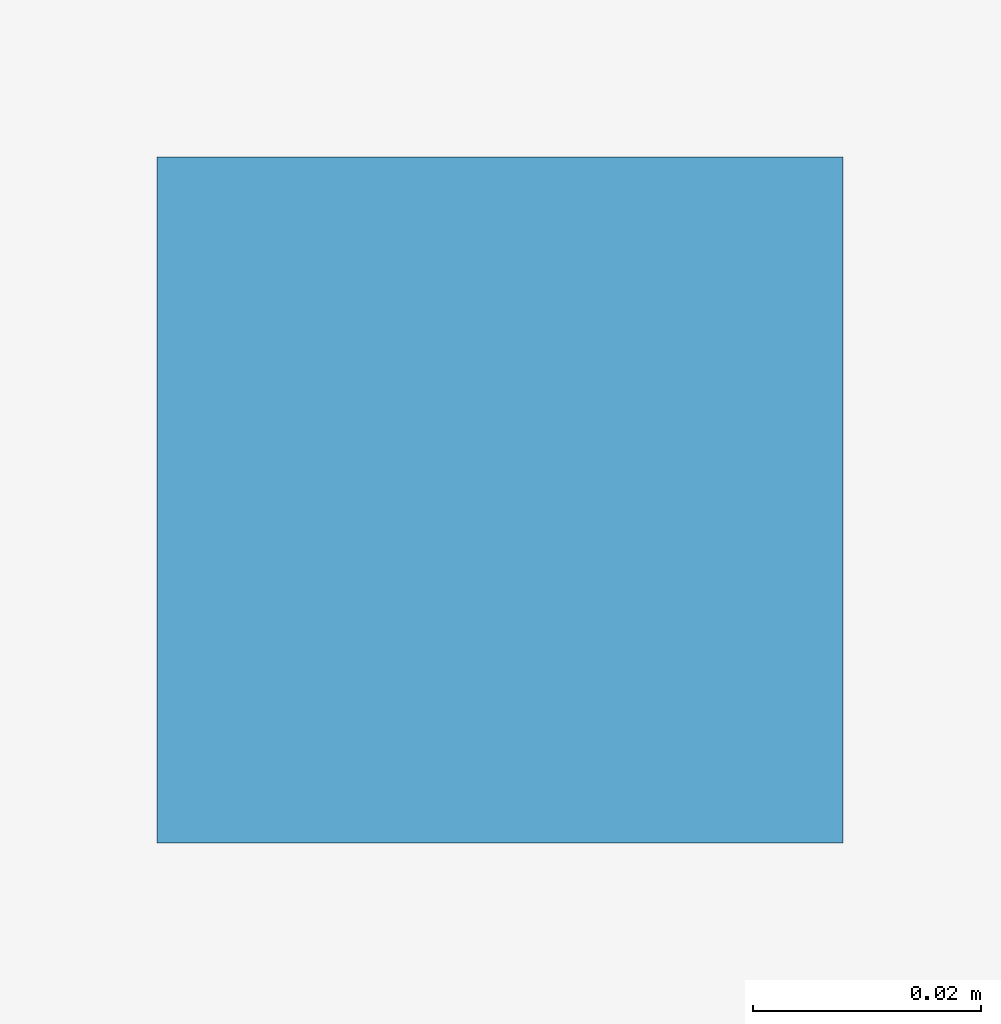
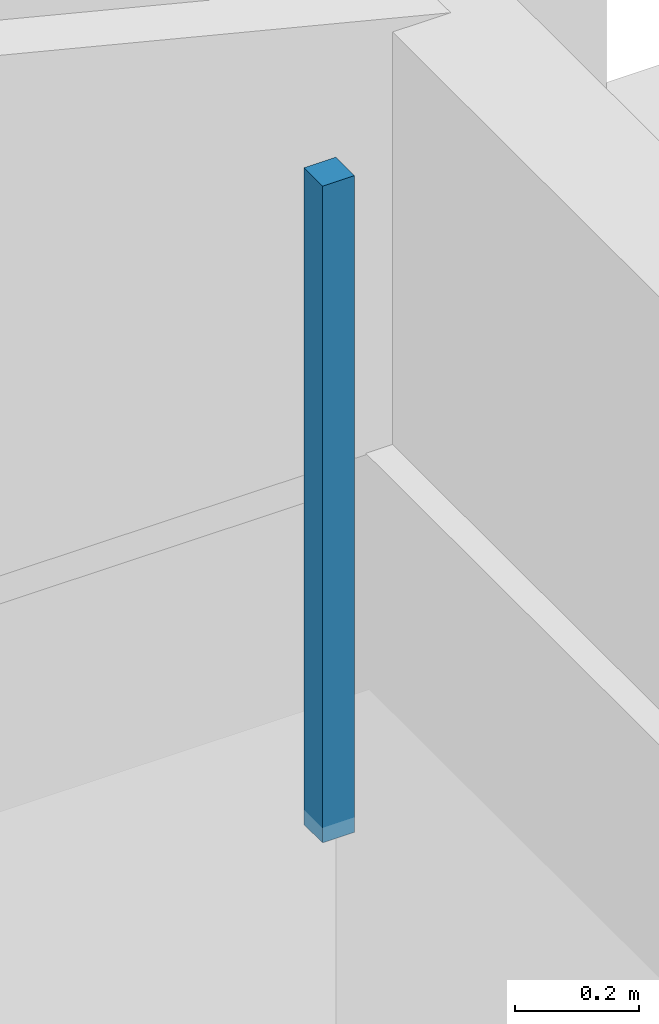
# One storey, part 92 of 110: 1 discrete accessory.
"""IFC4 building model written with IfcOpenShell, lengths in metres."""

from ifc_helpers import new_model, si_unit, direction, frame, origin, place, context, subcontext, project, spatial, polyline, outline, extrude, material, type_object, element, save


model = new_model("IFC4")

# Units and contexts
model_context = context("Model", 3, precision=1e-05, world=origin(), true_north=direction((0.0, 1.0)))
body_context = subcontext(model_context, "Body", "Model", "MODEL_VIEW")
ifc_project = project(units=[si_unit("LENGTHUNIT", "METRE"), si_unit("AREAUNIT", "SQUARE_METRE"), si_unit("VOLUMEUNIT", "CUBIC_METRE"), si_unit("PLANEANGLEUNIT", "RADIAN"), si_unit("MASSUNIT", "GRAM", prefix="KILO")], contexts=[model_context])

# Site, building, storey
site_placement = place(None, origin())
site = spatial("IfcSite", under=ifc_project, at=site_placement, CompositionType="ELEMENT")
building_placement = place(site_placement, origin())
building = spatial("IfcBuilding", under=site, at=building_placement, Name="Dunescarp Central Library", CompositionType="ELEMENT")
storey_placement = place(building_placement, frame((0.0, 0.0, 9.60009765625)))
storey = spatial("IfcBuildingStorey", under=building, at=storey_placement, Name="L02", CompositionType="ELEMENT", Elevation=9.60009765625)

# Discrete accessory
ifc_material = material(Name="Stainless steel Grade 316L", Category="steel")
discrete_accessory_type = type_object("IfcDiscreteAccessoryType", Name="ARC-ACC-BRK", PredefinedType="BRACKET", material=ifc_material)
discrete_accessory_placement = place(storey_placement, frame((0.0, 0.0, 3.059814453125)))
element("IfcDiscreteAccessory", 1, at=discrete_accessory_placement, inside=storey, type_object=discrete_accessory_type, Name="L02 ceiling hanger CLG-L02-155-H2", PredefinedType="BRACKET", context=body_context, shape_type="SweptSolid", body=[
    extrude(outline(polyline([(167.22998046875, 44.3798828125), (167.2900390625, 44.3798828125), (167.2900390625, 44.43994140625), (167.22998046875, 44.43994140625), (167.22998046875, 44.3798828125)])), origin(), (0.0, 0.0, 1.0), 1.296142578125),
])

save(model, "model.ifc")
